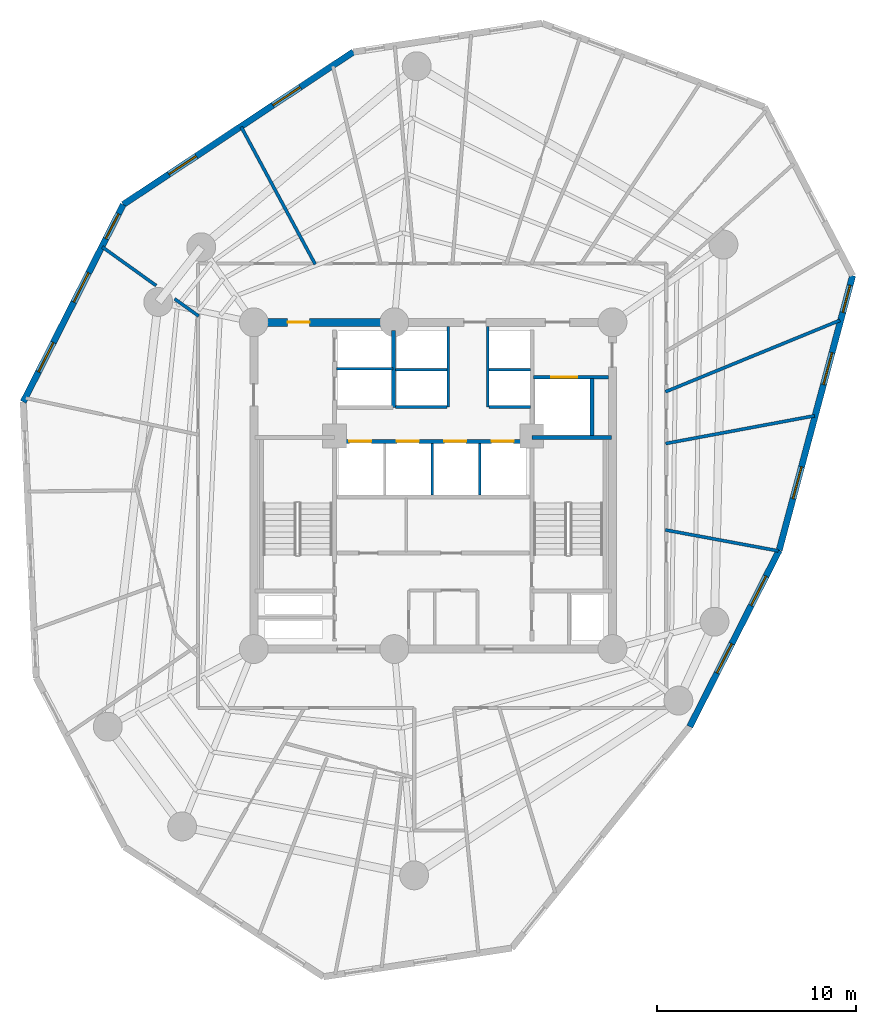
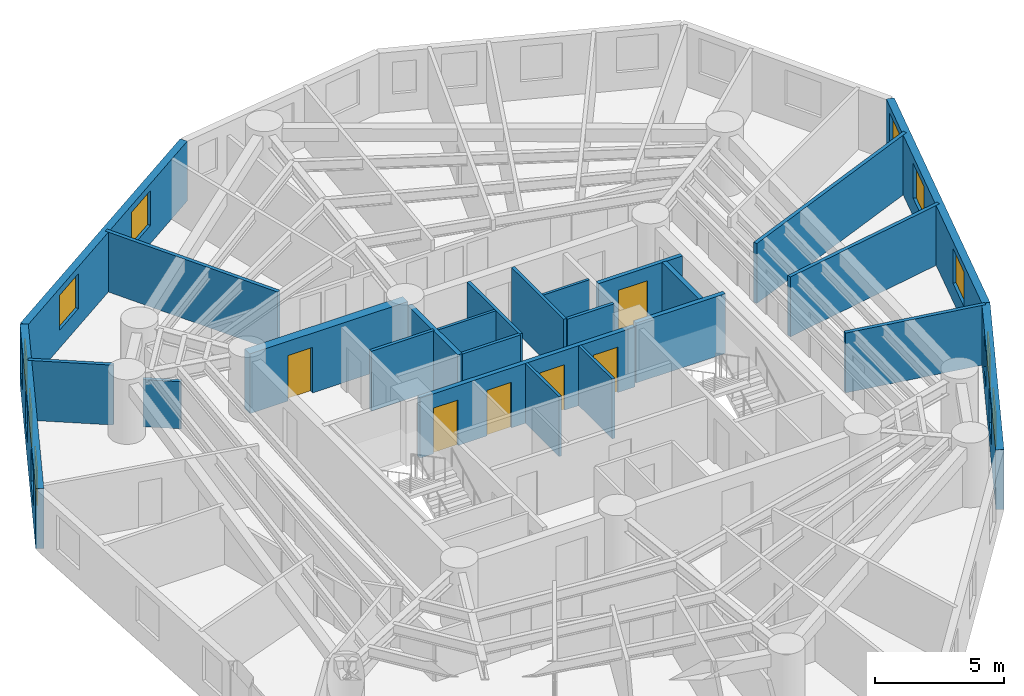
# One storey, part 5 of 8: 25 walls, 10 windows, 6 doors, 16 openings.
"""IFC4 building model written with IfcOpenShell, lengths in metres."""

import ifcopenshell
import ifcopenshell.guid

model = None  # the IFC model being written
_history = None  # IfcOwnerHistory: only IFC2X3 demands one
_inside = {}  # id of a spatial element -> (the spatial element, [elements in it])
_under = {}  # id of a project, library or spatial element -> (it, [spatial elements below it])
_declared = {}  # id of a project -> (the project, [libraries it declares])
_typed = {}  # id of a type object -> (the type object, [elements of that type])
_made_of = {}  # id of a material, layer set ... -> (it, [elements and type objects made of it])


def new_model(schema):
    """Start an empty IFC model of exactly this schema.

    Asked for "IFC4X3", IfcOpenShell would pick the latest addendum, in which some entities
    have other attributes; the version numbers below select the first issue.
    IFC2X3 requires an IfcOwnerHistory on every rooted entity: one is made here for all.
    """
    global model, _history
    if schema == "IFC4X3":
        model = ifcopenshell.file(schema_version=(4, 3, 0, 0))
    else:
        model = ifcopenshell.file(schema=schema)
    _inside.clear()
    _under.clear()
    _declared.clear()
    _typed.clear()
    _made_of.clear()
    _history = None
    if model.schema == "IFC2X3":
        org = make("IfcOrganization", Name="unknown")
        user = make(
            "IfcPersonAndOrganization",
            ThePerson=make("IfcPerson", FamilyName="unknown"),
            TheOrganization=org,
        )
        app = make(
            "IfcApplication",
            ApplicationDeveloper=org,
            Version="unknown",
            ApplicationFullName="unknown",
            ApplicationIdentifier="unknown",
        )
        _history = make(
            "IfcOwnerHistory",
            OwningUser=user,
            OwningApplication=app,
            ChangeAction="ADDED",
            CreationDate=0,
        )
    return model


def make(cls, **values):
    """One entity of the class cls with the attributes given. An attribute that is None is left unset."""
    return model.create_entity(
        cls, **{name: value for name, value in values.items() if value is not None}
    )


def rooted(cls, **values):
    """An entity with a GlobalId (a new one), such as an element, a storey or a relation."""
    return make(cls, GlobalId=ifcopenshell.guid.new(), OwnerHistory=_history, **values)


def si_unit(unit_type, name, prefix=None):
    """IfcSIUnit, for example si_unit("LENGTHUNIT", "METRE", prefix="MILLI")."""
    return make("IfcSIUnit", UnitType=unit_type, Prefix=prefix, Name=name)


def assignment(units):
    """IfcUnitAssignment: the units of a project."""
    return None if units is None else make("IfcUnitAssignment", Units=units)


def point(xyz):
    """IfcCartesianPoint."""
    return None if xyz is None else make("IfcCartesianPoint", Coordinates=xyz)


def direction(xyz):
    """IfcDirection."""
    return None if xyz is None else make("IfcDirection", DirectionRatios=xyz)


def frame(location, z_axis=None, x_axis=None):
    """IfcAxis2Placement3D, a coordinate frame: its origin and axes. An axis left out is left unset."""
    return make(
        "IfcAxis2Placement3D",
        Location=point(location),
        Axis=direction(z_axis),
        RefDirection=direction(x_axis),
    )


def frame_2d(location, x_axis=None):
    """IfcAxis2Placement2D, a coordinate frame in the plane: its origin and x axis."""
    return make(
        "IfcAxis2Placement2D", Location=point(location), RefDirection=direction(x_axis)
    )


def origin():
    """The frame at (0, 0, 0) with its axes left unset."""
    return frame((0.0, 0.0, 0.0))


def origin_with_axes():
    """The frame at (0, 0, 0) with the z axis (0, 0, 1) and the x axis (1, 0, 0) written out."""
    return frame((0.0, 0.0, 0.0), z_axis=(0.0, 0.0, 1.0), x_axis=(1.0, 0.0, 0.0))


def place(relative_to, where):
    """IfcLocalPlacement: puts the frame where relative to a parent placement (None: the world)."""
    return make(
        "IfcLocalPlacement", PlacementRelTo=relative_to, RelativePlacement=where
    )


def context(
    kind, dimensions, precision=None, world=None, true_north=None, identifier=None
):
    """IfcGeometricRepresentationContext, for example the 3D "Model" context."""
    return make(
        "IfcGeometricRepresentationContext",
        ContextIdentifier=identifier,
        ContextType=kind,
        CoordinateSpaceDimension=dimensions,
        Precision=precision,
        WorldCoordinateSystem=world,
        TrueNorth=true_north,
    )


def subcontext(parent, identifier, kind, view, scale=None):
    """IfcGeometricRepresentationSubContext, for example "Body" below "Model"."""
    return make(
        "IfcGeometricRepresentationSubContext",
        ContextIdentifier=identifier,
        ContextType=kind,
        ParentContext=parent,
        TargetScale=scale,
        TargetView=view,
    )


def project(units=None, contexts=None):
    """IfcProject with its units and contexts."""
    return rooted(
        "IfcProject",
        Name="project",
        RepresentationContexts=contexts,
        UnitsInContext=assignment(units),
    )


def spatial(cls, under=None, at=None, **own):
    """A site, building, storey or space (cls), placed at a placement, below another one or the project."""
    s = rooted(cls, ObjectPlacement=at, **own)
    if under is not None:
        _under.setdefault(under.id(), (under, []))[1].append(s)
    return s


def profile(cls, at=None, kind="AREA", **sizes):
    """A parametric profile (cls). Its sizes go by their IFC names, for example OverallWidth=200.0."""
    return make(cls, ProfileType=kind, Position=at, **sizes)


def rectangle(**sizes):
    """IfcRectangleProfileDef."""
    return profile("IfcRectangleProfileDef", **sizes)


def extrude(swept, where, along, depth):
    """IfcExtrudedAreaSolid: the profile swept, set in the frame where, extruded along a direction by depth."""
    return make(
        "IfcExtrudedAreaSolid",
        SweptArea=swept,
        Position=where,
        ExtrudedDirection=direction(along),
        Depth=depth,
    )


def shape(context_of_items, identifier, shape_type, items):
    """IfcShapeRepresentation: the items that make up one representation, for example the "Body"."""
    return make(
        "IfcShapeRepresentation",
        ContextOfItems=context_of_items,
        RepresentationIdentifier=identifier,
        RepresentationType=shape_type,
        Items=items,
    )


def source(mapping_origin, context_of_items, identifier, shape_type, items):
    """IfcRepresentationMap: a shape defined once, which mapped items show again and again."""
    return make(
        "IfcRepresentationMap",
        MappingOrigin=mapping_origin,
        MappedRepresentation=shape(context_of_items, identifier, shape_type, items),
    )


def transform(
    local_origin,
    x_axis=None,
    y_axis=None,
    z_axis=None,
    scale=None,
    scale2=None,
    scale3=None,
    uniform=True,
):
    """IfcCartesianTransformationOperator3D, or its non-uniform kind. x_axis, y_axis, z_axis: its Axis1, 2, 3."""
    if uniform:
        return make(
            "IfcCartesianTransformationOperator3D",
            Axis1=direction(x_axis),
            Axis2=direction(y_axis),
            LocalOrigin=point(local_origin),
            Scale=scale,
            Axis3=direction(z_axis),
        )
    return make(
        "IfcCartesianTransformationOperator3DnonUniform",
        Axis1=direction(x_axis),
        Axis2=direction(y_axis),
        LocalOrigin=point(local_origin),
        Scale=scale,
        Axis3=direction(z_axis),
        Scale2=scale2,
        Scale3=scale3,
    )


def mapped(mapping_source, mapping_target):
    """IfcMappedItem: shows the shape of a source again, moved by a transform."""
    return make(
        "IfcMappedItem", MappingSource=mapping_source, MappingTarget=mapping_target
    )


def material(Name=None, Category=None):
    """IfcMaterial."""
    return make("IfcMaterial", Name=Name, Category=Category)


def layer(
    of_material, thickness, ventilated=None, Name=None, Category=None, Priority=None
):
    """IfcMaterialLayer: one layer of a wall or slab, of a material (None: an air gap)."""
    return make(
        "IfcMaterialLayer",
        Material=of_material,
        LayerThickness=thickness,
        IsVentilated=ventilated,
        Name=Name,
        Category=Category,
        Priority=Priority,
    )


def layer_set(layers, Name=None):
    """IfcMaterialLayerSet."""
    return make("IfcMaterialLayerSet", MaterialLayers=layers, LayerSetName=Name)


def made_of(thing, what):
    """Note that an element or type object is made of a material, layer set ...; save() writes the relation."""
    if what is not None:
        _made_of.setdefault(what.id(), (what, []))[1].append(thing)
    return thing


def type_object(cls, material=None, **own):
    """A type object (cls), such as IfcWallType, which elements share."""
    return made_of(rooted(cls, **own), material)


def element(
    cls,
    number,
    at=None,
    inside=None,
    cuts=None,
    type_object=None,
    material=None,
    context=None,
    identifier="Body",
    shape_type=None,
    held_by="IfcProductDefinitionShape",
    body=None,
    shapes=None,
    **own,
):
    """One element of the class cls, such as IfcWall. Its Tag is "e" and its number.

    at: its placement. inside: the storey or other place that contains it. cuts: it is an
    opening in that element (IfcRelVoidsElement). A single representation is given by context,
    identifier, shape_type and body (its items); several are given by shapes. held_by: the class
    of the entity that holds the representations. save() writes the other relations.
    """
    e = rooted(cls, Tag="e%d" % number, ObjectPlacement=at, **own)
    if body is not None:
        shapes = [shape(context, identifier, shape_type, body)]
    if shapes is not None:
        e.Representation = make(held_by, Representations=shapes)
    if inside is not None:
        _inside.setdefault(inside.id(), (inside, []))[1].append(e)
    if cuts is not None:
        rooted(
            "IfcRelVoidsElement", RelatingBuildingElement=cuts, RelatedOpeningElement=e
        )
    if type_object is not None:
        _typed.setdefault(type_object.id(), (type_object, []))[1].append(e)
    return made_of(e, material)


def fill(opening, filler):
    """IfcRelFillsElement: the door or window that sits in an opening."""
    return rooted(
        "IfcRelFillsElement",
        RelatingOpeningElement=opening,
        RelatedBuildingElement=filler,
    )


def aggregate(whole, parts):
    """IfcRelAggregates: a whole, such as a stair, and the parts it consists of."""
    return rooted("IfcRelAggregates", RelatingObject=whole, RelatedObjects=parts)


def save(model, path):
    """Write the relations noted so far, then the file.

    IfcRelAggregates (storeys below a building ...), IfcRelContainedInSpatialStructure (elements
    in a storey), IfcRelDefinesByType, IfcRelAssociatesMaterial and IfcRelDeclares: one each for
    every whole, place, type object, material and project.
    """
    for whole, parts in _under.values():
        aggregate(whole, parts)
    for where, things in _inside.values():
        rooted(
            "IfcRelContainedInSpatialStructure",
            RelatedElements=things,
            RelatingStructure=where,
        )
    for kind, things in _typed.values():
        rooted("IfcRelDefinesByType", RelatedObjects=things, RelatingType=kind)
    for what, things in _made_of.values():
        rooted("IfcRelAssociatesMaterial", RelatedObjects=things, RelatingMaterial=what)
    for by, libraries in _declared.values():
        rooted("IfcRelDeclares", RelatingContext=by, RelatedDefinitions=libraries)
    model.write(path)


model = new_model("IFC4")

# Units and contexts
model_context = context("Model", 3, precision=1e-05, world=origin(), true_north=direction((0.0, 1.0)))
body_context = subcontext(model_context, "Body", "Model", "MODEL_VIEW")
ifc_project = project(units=[si_unit("LENGTHUNIT", "METRE"), si_unit("AREAUNIT", "SQUARE_METRE"), si_unit("VOLUMEUNIT", "CUBIC_METRE"), si_unit("PLANEANGLEUNIT", "RADIAN"), si_unit("MASSUNIT", "GRAM", prefix="KILO")], contexts=[model_context])

# Site, building, storey
site_placement = place(None, origin())
site = spatial("IfcSite", under=ifc_project, at=site_placement, CompositionType="ELEMENT")
building_placement = place(site_placement, origin())
building = spatial("IfcBuilding", under=site, at=building_placement, Name="Karkom Vertical University and Central Library", CompositionType="ELEMENT")
storey_placement = place(building_placement, frame((0.0, 0.0, 120.60009765625)))
storey = spatial("IfcBuildingStorey", under=building, at=storey_placement, Name="L33", CompositionType="ELEMENT", Elevation=120.60009765625)

# Wall, openings, windows
ifc_material_1 = material(Name="Brick-faced precast concrete C45/55", Category="masonry")
ifc_layer_1 = layer(ifc_material_1, 0.320068359375)
ifc_layer_set_1 = layer_set([ifc_layer_1], Name="Brick-faced precast concrete C45/55")
wall_type_1 = type_object("IfcWallType", Name="ENV-WL-BRK-320", PredefinedType="SOLIDWALL", material=ifc_layer_set_1)
wall_1_placement = place(storey_placement, frame((12.94873046875, 40.60986328125, 0.0), z_axis=(0.0, 0.0, 1.0), x_axis=(-0.452121013318, -0.891956607306, 0.0)))
wall_1 = element("IfcWall", 1, at=wall_1_placement, inside=storey, type_object=wall_type_1, Name="Level 33 Brick-Faced Precast Facade Wall 01", PredefinedType="SOLIDWALL", context=body_context, shape_type="SweptSolid", body=[
    extrude(rectangle(XDim=11.108642578125, YDim=0.320068359375, at=frame_2d((5.55419921875, 0.0))), origin(), (0.0, 0.0, 1.0), 2.824951171875),
])
opening_1_placement = place(wall_1_placement, frame((0.521240234375, 0.0, 0.85009765625)))
opening_1 = element("IfcOpeningElement", 2, at=opening_1_placement, cuts=wall_1, Name="Opening WN-07", PredefinedType="OPENING", context=body_context, shape_type="SweptSolid", body=[
    extrude(rectangle(XDim=1.39990234375, YDim=1.64990234375, at=frame_2d((0.699951171875, 0.824951171875))), frame((0.0, 0.169921875, 0.0), z_axis=(0.0, -1.0, 0.0), x_axis=(1.0, 0.0, 0.0)), (0.0, 0.0, 1.0), 0.340087890625),
])
opening_2_placement = place(wall_1_placement, frame((3.8388671875, 0.0, 0.85009765625)))
opening_2 = element("IfcOpeningElement", 3, at=opening_2_placement, cuts=wall_1, Name="Opening WN-06", PredefinedType="OPENING", context=body_context, shape_type="SweptSolid", body=[
    extrude(rectangle(XDim=1.64990234375, YDim=1.64990234375, at=frame_2d((0.824951171875, 0.824951171875))), frame((0.0, 0.169921875, 0.0), z_axis=(0.0, -1.0, 0.0), x_axis=(1.0, 0.0, 0.0)), (0.0, 0.0, 1.0), 0.340087890625),
])
opening_3_placement = place(wall_1_placement, frame((7.761962890625, 0.0, 0.85009765625)))
opening_3 = element("IfcOpeningElement", 4, at=opening_3_placement, cuts=wall_1, Name="Opening WN-06", PredefinedType="OPENING", context=body_context, shape_type="SweptSolid", body=[
    extrude(rectangle(XDim=1.64990234375, YDim=1.64990234375, at=frame_2d((0.824951171875, 0.824951171875))), frame((0.0, 0.169921875, 0.0), z_axis=(0.0, -1.0, 0.0), x_axis=(1.0, 0.0, 0.0)), (0.0, 0.0, 1.0), 0.340087890625),
])
ifc_material_2 = material(Name="Aluminium thermal-break frame with solar-control IGU", Category="aluminium")
window_type_1 = type_object("IfcWindowType", Name="ENV-WIN-WN-06", PartitioningType="SINGLE_PANEL", PredefinedType="WINDOW", material=ifc_material_2)
shared_shape_1 = source(origin_with_axes(), body_context, "Body", "SweptSolid", [
    extrude(rectangle(XDim=1.64990234375, YDim=1.64990234375, at=frame_2d((0.824951171875, 0.824951171875))), frame((0.0, 0.030029296875, 0.0), z_axis=(0.0, -1.0, 0.0), x_axis=(1.0, 0.0, 0.0)), (0.0, 0.0, 1.0), 0.06005859375),
])
window_1_placement = place(opening_2_placement, origin())
window_1 = element("IfcWindow", 5, at=window_1_placement, inside=storey, type_object=window_type_1, Name="Level 33 Punched Window 1.2", OverallHeight=1.64990234375, OverallWidth=1.64990234375, PartitioningType="SINGLE_PANEL", PredefinedType="WINDOW", context=body_context, shape_type="MappedRepresentation", body=[
    mapped(shared_shape_1, transform((0.0, 0.0, 0.0), scale=1.0)),
])
fill(opening_2, window_1)
window_2_placement = place(opening_3_placement, origin())
window_2 = element("IfcWindow", 6, at=window_2_placement, inside=storey, type_object=window_type_1, Name="Level 33 Punched Window 1.3", OverallHeight=1.64990234375, OverallWidth=1.64990234375, PartitioningType="SINGLE_PANEL", PredefinedType="WINDOW", context=body_context, shape_type="MappedRepresentation", body=[
    mapped(shared_shape_1, transform((0.0, 0.0, 0.0), scale=1.0)),
])
fill(opening_3, window_2)
window_type_2 = type_object("IfcWindowType", Name="ENV-WIN-WN-07", PartitioningType="SINGLE_PANEL", PredefinedType="WINDOW", material=ifc_material_2)
shared_shape_2 = source(origin_with_axes(), body_context, "Body", "SweptSolid", [
    extrude(rectangle(XDim=1.39990234375, YDim=1.64990234375, at=frame_2d((0.699951171875, 0.824951171875))), frame((0.0, 0.030029296875, 0.0), z_axis=(0.0, -1.0, 0.0), x_axis=(1.0, 0.0, 0.0)), (0.0, 0.0, 1.0), 0.06005859375),
])
window_3_placement = place(opening_1_placement, origin())
window_3 = element("IfcWindow", 7, at=window_3_placement, inside=storey, type_object=window_type_2, Name="Level 33 Punched Window 1.1", OverallHeight=1.64990234375, OverallWidth=1.39990234375, PartitioningType="SINGLE_PANEL", PredefinedType="WINDOW", context=body_context, shape_type="MappedRepresentation", body=[
    mapped(shared_shape_2, transform((0.0, 0.0, 0.0), scale=1.0)),
])
fill(opening_1, window_3)

wall_2_placement = place(storey_placement, frame((41.382080078125, 14.41064453125, 0.0), z_axis=(0.0, 0.0, 1.0), x_axis=(0.452120180928, 0.891957029233, 0.0)))
wall_2 = element("IfcWall", 8, at=wall_2_placement, inside=storey, type_object=wall_type_1, Name="Level 33 Brick-Faced Precast Facade Wall 07", PredefinedType="SOLIDWALL", context=body_context, shape_type="SweptSolid", body=[
    extrude(rectangle(XDim=9.91796875, YDim=0.320068359375, at=frame_2d((4.958984375, 0.0))), origin(), (0.0, 0.0, 1.0), 2.824951171875),
])
opening_4_placement = place(wall_2_placement, frame((3.010009765625, 0.0, 0.85009765625)))
opening_4 = element("IfcOpeningElement", 9, at=opening_4_placement, cuts=wall_2, Name="Opening WN-06", PredefinedType="OPENING", context=body_context, shape_type="SweptSolid", body=[
    extrude(rectangle(XDim=1.64990234375, YDim=1.64990234375, at=frame_2d((0.824951171875, 0.824951171875))), frame((0.0, 0.169921875, 0.0), z_axis=(0.0, -1.0, 0.0), x_axis=(1.0, 0.0, 0.0)), (0.0, 0.0, 1.0), 0.340087890625),
])
opening_5_placement = place(wall_2_placement, frame((6.81201171875, 0.0, 0.85009765625)))
opening_5 = element("IfcOpeningElement", 10, at=opening_5_placement, cuts=wall_2, Name="Opening WN-06", PredefinedType="OPENING", context=body_context, shape_type="SweptSolid", body=[
    extrude(rectangle(XDim=1.64990234375, YDim=1.64990234375, at=frame_2d((0.824951171875, 0.824951171875))), frame((0.0, 0.169921875, 0.0), z_axis=(0.0, -1.0, 0.0), x_axis=(1.0, 0.0, 0.0)), (0.0, 0.0, 1.0), 0.340087890625),
])
window_4_placement = place(opening_4_placement, origin())
window_4 = element("IfcWindow", 11, at=window_4_placement, inside=storey, type_object=window_type_1, Name="Level 33 Punched Window 7.1", OverallHeight=1.64990234375, OverallWidth=1.64990234375, PartitioningType="SINGLE_PANEL", PredefinedType="WINDOW", context=body_context, shape_type="MappedRepresentation", body=[
    mapped(shared_shape_1, transform((0.0, 0.0, 0.0), scale=1.0)),
])
fill(opening_4, window_4)
window_5_placement = place(opening_5_placement, origin())
window_5 = element("IfcWindow", 12, at=window_5_placement, inside=storey, type_object=window_type_1, Name="Level 33 Punched Window 7.2", OverallHeight=1.64990234375, OverallWidth=1.64990234375, PartitioningType="SINGLE_PANEL", PredefinedType="WINDOW", context=body_context, shape_type="MappedRepresentation", body=[
    mapped(shared_shape_1, transform((0.0, 0.0, 0.0), scale=1.0)),
])
fill(opening_5, window_5)

wall_3_placement = place(storey_placement, frame((45.8662109375, 23.257080078125, 0.0), z_axis=(0.0, 0.0, 1.0), x_axis=(0.258414474628, 0.966034139823, 0.0)))
wall_3 = element("IfcWall", 13, at=wall_3_placement, inside=storey, type_object=wall_type_1, Name="Level 33 Brick-Faced Precast Facade Wall 08", PredefinedType="SOLIDWALL", context=body_context, shape_type="SweptSolid", body=[
    extrude(rectangle(XDim=14.267822265625, YDim=0.320068359375, at=frame_2d((7.1337890625, 0.0))), origin(), (0.0, 0.0, 1.0), 2.824951171875),
])
opening_6_placement = place(wall_3_placement, frame((2.6875, 0.0, 0.85009765625)))
opening_6 = element("IfcOpeningElement", 14, at=opening_6_placement, cuts=wall_3, Name="Opening WN-06", PredefinedType="OPENING", context=body_context, shape_type="SweptSolid", body=[
    extrude(rectangle(XDim=1.64990234375, YDim=1.64990234375, at=frame_2d((0.824951171875, 0.824951171875))), frame((0.0, 0.169921875, 0.0), z_axis=(0.0, -1.0, 0.0), x_axis=(1.0, 0.0, 0.0)), (0.0, 0.0, 1.0), 0.340087890625),
])
opening_7_placement = place(wall_3_placement, frame((8.61474609375, 0.0, 0.85009765625)))
opening_7 = element("IfcOpeningElement", 15, at=opening_7_placement, cuts=wall_3, Name="Opening WN-06", PredefinedType="OPENING", context=body_context, shape_type="SweptSolid", body=[
    extrude(rectangle(XDim=1.64990234375, YDim=1.64990234375, at=frame_2d((0.824951171875, 0.824951171875))), frame((0.0, 0.169921875, 0.0), z_axis=(0.0, -1.0, 0.0), x_axis=(1.0, 0.0, 0.0)), (0.0, 0.0, 1.0), 0.340087890625),
])
opening_8_placement = place(wall_3_placement, frame((12.361328125, 0.0, 0.85009765625)))
opening_8 = element("IfcOpeningElement", 16, at=opening_8_placement, cuts=wall_3, Name="Opening WN-07", PredefinedType="OPENING", context=body_context, shape_type="SweptSolid", body=[
    extrude(rectangle(XDim=1.39990234375, YDim=1.64990234375, at=frame_2d((0.699951171875, 0.824951171875))), frame((0.0, 0.169921875, 0.0), z_axis=(0.0, -1.0, 0.0), x_axis=(1.0, 0.0, 0.0)), (0.0, 0.0, 1.0), 0.340087890625),
])
window_6_placement = place(opening_6_placement, origin())
window_6 = element("IfcWindow", 17, at=window_6_placement, inside=storey, type_object=window_type_1, Name="Level 33 Punched Window 8.1", OverallHeight=1.64990234375, OverallWidth=1.64990234375, PartitioningType="SINGLE_PANEL", PredefinedType="WINDOW", context=body_context, shape_type="MappedRepresentation", body=[
    mapped(shared_shape_1, transform((0.0, 0.0, 0.0), scale=1.0)),
])
fill(opening_6, window_6)
window_7_placement = place(opening_7_placement, origin())
window_7 = element("IfcWindow", 18, at=window_7_placement, inside=storey, type_object=window_type_1, Name="Level 33 Punched Window 8.2", OverallHeight=1.64990234375, OverallWidth=1.64990234375, PartitioningType="SINGLE_PANEL", PredefinedType="WINDOW", context=body_context, shape_type="MappedRepresentation", body=[
    mapped(shared_shape_1, transform((0.0, 0.0, 0.0), scale=1.0)),
])
fill(opening_7, window_7)
window_8_placement = place(opening_8_placement, origin())
window_8 = element("IfcWindow", 19, at=window_8_placement, inside=storey, type_object=window_type_2, Name="Level 33 Punched Window 8.3", OverallHeight=1.64990234375, OverallWidth=1.39990234375, PartitioningType="SINGLE_PANEL", PredefinedType="WINDOW", context=body_context, shape_type="MappedRepresentation", body=[
    mapped(shared_shape_2, transform((0.0, 0.0, 0.0), scale=1.0)),
])
fill(opening_8, window_8)

wall_4_placement = place(storey_placement, frame((24.498046875, 48.2705078125, 0.0), z_axis=(0.0, 0.0, 1.0), x_axis=(-0.833343480335, -0.552755500908, 0.0)))
wall_4 = element("IfcWall", 20, at=wall_4_placement, inside=storey, type_object=wall_type_1, Name="Level 33 Brick-Faced Precast Facade Wall 12", PredefinedType="SOLIDWALL", context=body_context, shape_type="SweptSolid", body=[
    extrude(rectangle(XDim=13.859130859375, YDim=0.320068359375, at=frame_2d((6.9296875, 0.0))), origin(), (0.0, 0.0, 1.0), 2.824951171875),
])
opening_9_placement = place(wall_4_placement, frame((3.19775390625, 0.0, 0.85009765625)))
opening_9 = element("IfcOpeningElement", 21, at=opening_9_placement, cuts=wall_4, Name="Opening WN-06", PredefinedType="OPENING", context=body_context, shape_type="SweptSolid", body=[
    extrude(rectangle(XDim=1.64990234375, YDim=1.64990234375, at=frame_2d((0.824951171875, 0.824951171875))), frame((0.0, 0.169921875, 0.0), z_axis=(0.0, -1.0, 0.0), x_axis=(1.0, 0.0, 0.0)), (0.0, 0.0, 1.0), 0.340087890625),
])
opening_10_placement = place(wall_4_placement, frame((9.46337890625, 0.0, 0.85009765625)))
opening_10 = element("IfcOpeningElement", 22, at=opening_10_placement, cuts=wall_4, Name="Opening WN-06", PredefinedType="OPENING", context=body_context, shape_type="SweptSolid", body=[
    extrude(rectangle(XDim=1.64990234375, YDim=1.64990234375, at=frame_2d((0.824951171875, 0.824951171875))), frame((0.0, 0.169921875, 0.0), z_axis=(0.0, -1.0, 0.0), x_axis=(1.0, 0.0, 0.0)), (0.0, 0.0, 1.0), 0.340087890625),
])
window_9_placement = place(opening_9_placement, origin())
window_9 = element("IfcWindow", 23, at=window_9_placement, inside=storey, type_object=window_type_1, Name="Level 33 Punched Window 12.1", OverallHeight=1.64990234375, OverallWidth=1.64990234375, PartitioningType="SINGLE_PANEL", PredefinedType="WINDOW", context=body_context, shape_type="MappedRepresentation", body=[
    mapped(shared_shape_1, transform((0.0, 0.0, 0.0), scale=1.0)),
])
fill(opening_9, window_9)
window_10_placement = place(opening_10_placement, origin())
window_10 = element("IfcWindow", 24, at=window_10_placement, inside=storey, type_object=window_type_1, Name="Level 33 Punched Window 12.2", OverallHeight=1.64990234375, OverallWidth=1.64990234375, PartitioningType="SINGLE_PANEL", PredefinedType="WINDOW", context=body_context, shape_type="MappedRepresentation", body=[
    mapped(shared_shape_1, transform((0.0, 0.0, 0.0), scale=1.0)),
])
fill(opening_10, window_10)

# Walls
ifc_material_3 = material(Name="Insulated metal-stud drywall 160mm", Category="gypsum")
ifc_layer_2 = layer(ifc_material_3, 0.159912109375)
ifc_layer_set_2 = layer_set([ifc_layer_2], Name="Insulated metal-stud drywall 160mm")
wall_type_2 = type_object("IfcWallType", Name="INT-WL-COR-160", PredefinedType="PARTITIONING", material=ifc_layer_set_2)
wall_5_placement = place(storey_placement, frame((40.158203125, 31.2109375, 0.0), z_axis=(0.0, 0.0, 1.0), x_axis=(0.92536805973, 0.379069853763, 0.0)))
element("IfcWall", 25, at=wall_5_placement, inside=storey, type_object=wall_type_2, Name="Level 33 Interior Partition Wall L33-PW-020", PredefinedType="PARTITIONING", context=body_context, shape_type="SweptSolid", body=[
    extrude(rectangle(XDim=9.461669921875, YDim=0.159912109375, at=frame_2d((4.73095703125, 0.0))), origin(), (0.0, 0.0, 1.0), 2.824951171875),
])
wall_6_placement = place(storey_placement, frame((22.581298828125, 37.6103515625, 0.0), z_axis=(0.0, 0.0, 1.0), x_axis=(-0.474337754798, 0.880342941344, 0.0)))
element("IfcWall", 26, at=wall_6_placement, inside=storey, type_object=wall_type_2, Name="Level 33 Interior Partition Wall L33-PW-031", PredefinedType="PARTITIONING", context=body_context, shape_type="SweptSolid", body=[
    extrude(rectangle(XDim=7.83154296875, YDim=0.159912109375, at=frame_2d((3.915771484375, 0.0))), origin(), (0.0, 0.0, 1.0), 2.824951171875),
])
wall_7_placement = place(storey_placement, frame((40.17041015625, 28.614990234375, 0.0), z_axis=(0.0, 0.0, 1.0), x_axis=(0.983054312649, 0.183314534015, 0.0)))
element("IfcWall", 27, at=wall_7_placement, inside=storey, type_object=wall_type_2, Name="Level 33 Interior Partition Wall L33-PW-019", PredefinedType="PARTITIONING", context=body_context, shape_type="SweptSolid", body=[
    extrude(rectangle(XDim=7.597900390625, YDim=0.159912109375, at=frame_2d((3.798828125, 0.0))), origin(), (0.0, 0.0, 1.0), 2.824951171875),
])
wall_8_placement = place(storey_placement, frame((40.15576171875, 24.277587890625, 0.0), z_axis=(0.0, 0.0, 1.0), x_axis=(0.983241514176, -0.182307774933, 0.0)))
element("IfcWall", 28, at=wall_8_placement, inside=storey, type_object=wall_type_2, Name="Level 33 Interior Partition Wall L33-PW-018", PredefinedType="PARTITIONING", context=body_context, shape_type="SweptSolid", body=[
    extrude(rectangle(XDim=5.760986328125, YDim=0.159912109375, at=frame_2d((2.88037109375, 0.0))), origin(), (0.0, 0.0, 1.0), 2.824951171875),
])
wall_9_placement = place(storey_placement, frame((14.60107421875, 36.5390625, 0.0), z_axis=(0.0, 0.0, 1.0), x_axis=(-0.812705938737, 0.582674057378, 0.0)))
element("IfcWall", 29, at=wall_9_placement, inside=storey, type_object=wall_type_2, Name="Level 33 Interior Partition Wall L33-PW-033", PredefinedType="PARTITIONING", context=body_context, shape_type="SweptSolid", body=[
    extrude(rectangle(XDim=3.327392578125, YDim=0.159912109375, at=frame_2d((1.66357421875, 0.0))), origin(), (0.0, 0.0, 1.0), 2.824951171875),
])
wall_10_placement = place(storey_placement, frame((16.736572265625, 35.008056640625, 0.0), z_axis=(0.0, 0.0, 1.0), x_axis=(-0.812690241853, 0.582695950558, 0.0)))
element("IfcWall", 30, at=wall_10_placement, inside=storey, type_object=wall_type_2, Name="Level 33 Interior Partition Wall L33-PW-032", PredefinedType="PARTITIONING", context=body_context, shape_type="SweptSolid", body=[
    extrude(rectangle(XDim=1.48828125, YDim=0.159912109375, at=frame_2d((0.744140625, 0.0))), origin(), (0.0, 0.0, 1.0), 2.224853515625),
])
ifc_material_4 = material(Name="Moisture-resistant drywall 120mm", Category="gypsum")
ifc_layer_3 = layer(ifc_material_4, 0.1201171875)
ifc_layer_set_3 = layer_set([ifc_layer_3], Name="Moisture-resistant drywall 120mm")
wall_type_3 = type_object("IfcWallType", Name="INT-WL-INT-120H", PredefinedType="PARTITIONING", material=ifc_layer_set_3)
for number, where, z_axis, x_axis, name in (
    (31, (28.4599609375, 26.02001953125, 0.0), (0.0, 0.0, 1.0), (0.0, 1.0, 0.0), "Level 33 Interior Partition Wall L33-CW-PM-DIV2"),
    (32, (30.840087890625, 26.02001953125, 0.0), (0.0, 0.0, 1.0), (0.0, 1.0, 0.0), "Level 33 Interior Partition Wall L33-CW-PM-DIV3"),
):
    element("IfcWall", number, at=place(storey_placement, frame(where, z_axis=z_axis, x_axis=x_axis)), inside=storey, type_object=wall_type_3, Name=name, PredefinedType="PARTITIONING", context=body_context, shape_type="SweptSolid", body=[
        extrude(rectangle(XDim=2.60009765625, YDim=0.1201171875, at=frame_2d((1.300048828125, 0.0))), origin(), (0.0, 0.0, 1.0), 2.824951171875),
    ])
wall_11_placement = place(storey_placement, frame((26.6201171875, 32.320068359375, 0.0), z_axis=(0.0, 0.0, 1.0), x_axis=(1.0, 0.0, 0.0)))
element("IfcWall", 33, at=wall_11_placement, inside=storey, type_object=wall_type_3, Name="Level 33 Interior Partition Wall L33-CW-PH-MW", PredefinedType="PARTITIONING", context=body_context, shape_type="SweptSolid", body=[
    extrude(rectangle(XDim=2.579833984375, YDim=0.1201171875, at=frame_2d((1.2900390625, 0.0))), origin(), (0.0, 0.0, 1.0), 2.824951171875),
])
wall_12_placement = place(storey_placement, frame((31.300048828125, 32.320068359375, 0.0), z_axis=(0.0, 0.0, 1.0), x_axis=(1.0, 0.0, 0.0)))
element("IfcWall", 34, at=wall_12_placement, inside=storey, type_object=wall_type_3, Name="Level 33 Interior Partition Wall L33-CW-PH-ME", PredefinedType="PARTITIONING", context=body_context, shape_type="SweptSolid", body=[
    extrude(rectangle(XDim=2.074951171875, YDim=0.1201171875, at=frame_2d((1.03759765625, 0.0))), origin(), (0.0, 0.0, 1.0), 2.824951171875),
])
ifc_material_5 = material(Name="Metal-stud gypsum partition 140mm", Category="gypsum")
ifc_layer_4 = layer(ifc_material_5, 0.139892578125)
ifc_layer_set_4 = layer_set([ifc_layer_4], Name="Metal-stud gypsum partition 140mm")
wall_type_4 = type_object("IfcWallType", Name="INT-WL-SUB-140H", PredefinedType="PARTITIONING", material=ifc_layer_set_4)
for number, where, z_axis, x_axis, name in (
    (35, (29.260009765625, 30.449951171875, 0.0), (0.0, 0.0, 1.0), (0.0, 1.0, 0.0), "Level 33 Interior Partition Wall L33-CW-PH-W"),
    (36, (31.239990234375, 30.449951171875, 0.0), (0.0, 0.0, 1.0), (0.0, 1.0, 0.0), "Level 33 Interior Partition Wall L33-CW-PH-E"),
):
    element("IfcWall", number, at=place(storey_placement, frame(where, z_axis=z_axis, x_axis=x_axis)), inside=storey, type_object=wall_type_4, Name=name, PredefinedType="PARTITIONING", context=body_context, shape_type="SweptSolid", body=[
        extrude(rectangle(XDim=4.04296875, YDim=0.139892578125, at=frame_2d((2.021484375, 0.0))), origin(), (0.0, 0.0, 1.0), 2.824951171875),
    ])
wall_13_placement = place(storey_placement, frame((26.6201171875, 30.449951171875, 0.0), z_axis=(0.0, 0.0, 1.0), x_axis=(1.0, 0.0, 0.0)))
element("IfcWall", 37, at=wall_13_placement, inside=storey, type_object=wall_type_4, Name="Level 33 Interior Partition Wall L33-CW-PH-S1", PredefinedType="PARTITIONING", context=body_context, shape_type="SweptSolid", body=[
    extrude(rectangle(XDim=2.579833984375, YDim=0.139892578125, at=frame_2d((1.2900390625, 0.0))), origin(), (0.0, 0.0, 1.0), 2.824951171875),
])
wall_14_placement = place(storey_placement, frame((31.300048828125, 30.449951171875, 0.0), z_axis=(0.0, 0.0, 1.0), x_axis=(1.0, 0.0, 0.0)))
element("IfcWall", 38, at=wall_14_placement, inside=storey, type_object=wall_type_4, Name="Level 33 Interior Partition Wall L33-CW-PH-S2", PredefinedType="PARTITIONING", context=body_context, shape_type="SweptSolid", body=[
    extrude(rectangle(XDim=2.074951171875, YDim=0.139892578125, at=frame_2d((1.03759765625, 0.0))), origin(), (0.0, 0.0, 1.0), 2.824951171875),
])
ifc_layer_5 = layer(ifc_material_5, 0.139892578125)
ifc_layer_set_5 = layer_set([ifc_layer_5], Name="Metal-stud gypsum partition 140mm")
wall_type_5 = type_object("IfcWallType", Name="INT-WL-SUB-140X", PredefinedType="PARTITIONING", material=ifc_layer_set_5)
wall_15_placement = place(storey_placement, frame((23.652099609375, 32.3701171875, 0.0), z_axis=(0.0, 0.0, 1.0), x_axis=(1.0, 0.0, 0.0)))
element("IfcWall", 39, at=wall_15_placement, inside=storey, type_object=wall_type_5, Name="Level 33 Interior Partition Wall L33-CW-FFL-M", PredefinedType="PARTITIONING", context=body_context, shape_type="SweptSolid", body=[
    extrude(rectangle(XDim=2.827880859375, YDim=0.139892578125, at=frame_2d((1.4140625, 0.0))), origin(), (0.0, 0.0, 1.0), 2.824951171875),
])

# Wall, opening, door
ifc_material_6 = material(Name="Twin-stud acoustic drywall 180mm", Category="gypsum")
ifc_layer_6 = layer(ifc_material_6, 0.179931640625)
ifc_layer_set_6 = layer_set([ifc_layer_6], Name="Twin-stud acoustic drywall 180mm")
wall_type_6 = type_object("IfcWallType", Name="INT-WL-TEN-180F", PredefinedType="PARTITIONING", material=ifc_layer_set_6)
wall_16_placement = place(storey_placement, frame((33.534912109375, 31.949951171875, 0.0), z_axis=(0.0, 0.0, 1.0), x_axis=(1.0, 0.0, 0.0)))
wall_16 = element("IfcWall", 40, at=wall_16_placement, inside=storey, type_object=wall_type_6, Name="Level 33 Interior Partition Wall L33-CW-SVL-N", PredefinedType="PARTITIONING", context=body_context, shape_type="SweptSolid", body=[
    extrude(rectangle(XDim=3.7587890625, YDim=0.179931640625, at=frame_2d((1.87939453125, 0.0))), origin(), (0.0, 0.0, 1.0), 2.824951171875),
])
opening_11_placement = place(wall_16_placement, frame((0.89990234375, 0.0, 0.0)))
opening_11 = element("IfcOpeningElement", 41, at=opening_11_placement, cuts=wall_16, Name="Opening LD-SV1", PredefinedType="OPENING", context=body_context, shape_type="SweptSolid", body=[
    extrude(rectangle(XDim=1.300048828125, YDim=2.199951171875, at=frame_2d((0.64990234375, 1.10009765625))), frame((0.0, 0.10009765625, 0.0), z_axis=(0.0, -1.0, 0.0), x_axis=(1.0, 0.0, 0.0)), (0.0, 0.0, 1.0), 0.199951171875),
])
ifc_material_7 = material(Name="Brushed stainless-steel landing door", Category="steel")
door_type_1 = type_object("IfcDoorType", Name="INT-DR-LD-SV1", OperationType="SLIDING_TO_LEFT", PredefinedType="DOOR", material=ifc_material_7)
shared_shape_3 = source(origin_with_axes(), body_context, "Body", "SweptSolid", [
    extrude(rectangle(XDim=1.300048828125, YDim=2.199951171875, at=frame_2d((0.64990234375, 1.10009765625))), frame((0.0, 0.02490234375, 0.0), z_axis=(0.0, -1.0, 0.0), x_axis=(1.0, 0.0, 0.0)), (0.0, 0.0, 1.0), 0.050048828125),
])
door_1_placement = place(opening_11_placement, origin())
door_1 = element("IfcDoor", 42, at=door_1_placement, inside=storey, type_object=door_type_1, Name="Level 33 Service Lift Landing Door LD-SV1", OperationType="SLIDING_TO_LEFT", OverallHeight=2.199951171875, OverallWidth=1.300048828125, PredefinedType="DOOR", context=body_context, shape_type="MappedRepresentation", body=[
    mapped(shared_shape_3, transform((0.0, 0.0, 0.0), scale=1.0)),
])
fill(opening_11, door_1)

ifc_material_8 = material(Name="Concrete C50/60", Category="concrete")
ifc_layer_7 = layer(ifc_material_8, 0.39990234375)
ifc_layer_set_7 = layer_set([ifc_layer_7], Name="Concrete C50/60")
wall_type_7 = type_object("IfcWallType", Name="STR-WL-CW-400", PredefinedType="SHEAR", material=ifc_layer_set_7)
wall_17_placement = place(storey_placement, frame((26.550048828125, 34.699951171875, 0.0), z_axis=(0.0, 0.0, 1.0), x_axis=(-1.0, 0.0, 0.0)))
wall_17 = element("IfcWall", 43, at=wall_17_placement, inside=storey, type_object=wall_type_7, Name="Level 33 Central Core Shear Wall NW2", PredefinedType="SHEAR", context=body_context, shape_type="SweptSolid", body=[
    extrude(rectangle(XDim=7.050048828125, YDim=0.39990234375, at=frame_2d((3.52490234375, 0.0))), origin(), (0.0, 0.0, 1.0), 2.824951171875),
])
opening_12_placement = place(wall_17_placement, frame((4.25, 0.0, 0.0)))
opening_12 = element("IfcOpeningElement", 44, at=opening_12_placement, cuts=wall_17, Name="Opening FD-FFL", PredefinedType="OPENING", context=body_context, shape_type="SweptSolid", body=[
    extrude(rectangle(XDim=1.10009765625, YDim=2.14990234375, at=frame_2d((0.550048828125, 1.074951171875))), frame((0.0, 0.2099609375, 0.0), z_axis=(0.0, -1.0, 0.0), x_axis=(1.0, 0.0, 0.0)), (0.0, 0.0, 1.0), 0.419921875),
])
ifc_material_9 = material(Name="Painted steel smoke-seal fire door", Category="steel")
door_type_2 = type_object("IfcDoorType", Name="INT-DR-FFL", OperationType="NOTDEFINED", PredefinedType="DOOR", material=ifc_material_9)
shared_shape_4 = source(origin_with_axes(), body_context, "Body", "SweptSolid", [
    extrude(rectangle(XDim=1.10009765625, YDim=2.14990234375, at=frame_2d((0.550048828125, 1.074951171875))), frame((0.0, 0.02490234375, 0.0), z_axis=(0.0, -1.0, 0.0), x_axis=(1.0, 0.0, 0.0)), (0.0, 0.0, 1.0), 0.050048828125),
])
door_2_placement = place(opening_12_placement, origin())
door_2 = element("IfcDoor", 45, at=door_2_placement, inside=storey, type_object=door_type_2, Name="Level 33 Firefighting Lobby Door", OperationType="SINGLE_SWING_LEFT", OverallHeight=2.14990234375, OverallWidth=1.10009765625, PredefinedType="DOOR", context=body_context, shape_type="MappedRepresentation", body=[
    mapped(shared_shape_4, transform((0.0, 0.0, 0.0), scale=1.0)),
])
fill(opening_12, door_2)

# Wall, openings, doors
ifc_material_10 = material(Name="Concrete C45/55", Category="concrete")
ifc_layer_8 = layer(ifc_material_10, 0.199951171875)
ifc_layer_set_8 = layer_set([ifc_layer_8], Name="Concrete C45/55")
wall_type_8 = type_object("IfcWallType", Name="STR-WL-ST-200", PredefinedType="SHEAR", material=ifc_layer_set_8)
wall_18_placement = place(storey_placement, frame((23.699951171875, 28.719970703125, 0.0), z_axis=(0.0, 0.0, 1.0), x_axis=(1.0, 0.0, 0.0)))
wall_18 = element("IfcWall", 46, at=wall_18_placement, inside=storey, type_object=wall_type_8, Name="Level 33 Core Shaft Wall L33-CW-B2-N", PredefinedType="SHEAR", context=body_context, shape_type="SweptSolid", body=[
    extrude(rectangle(XDim=9.60009765625, YDim=0.199951171875, at=frame_2d((4.800048828125, 0.0))), origin(), (0.0, 0.0, 1.0), 2.824951171875),
])
opening_13_placement = place(wall_18_placement, frame((0.60009765625, 0.0, 0.0)))
opening_13 = element("IfcOpeningElement", 47, at=opening_13_placement, cuts=wall_18, Name="Opening LD-PAX", PredefinedType="OPENING", context=body_context, shape_type="SweptSolid", body=[
    extrude(rectangle(XDim=1.10009765625, YDim=2.14990234375, at=frame_2d((0.550048828125, 1.074951171875))), frame((0.0, 0.10986328125, 0.0), z_axis=(0.0, -1.0, 0.0), x_axis=(1.0, 0.0, 0.0)), (0.0, 0.0, 1.0), 0.219970703125),
])
opening_14_placement = place(wall_18_placement, frame((2.97998046875, 0.0, 0.0)))
opening_14 = element("IfcOpeningElement", 48, at=opening_14_placement, cuts=wall_18, Name="Opening LD-PAX", PredefinedType="OPENING", context=body_context, shape_type="SweptSolid", body=[
    extrude(rectangle(XDim=1.10009765625, YDim=2.14990234375, at=frame_2d((0.550048828125, 1.074951171875))), frame((0.0, 0.10986328125, 0.0), z_axis=(0.0, -1.0, 0.0), x_axis=(1.0, 0.0, 0.0)), (0.0, 0.0, 1.0), 0.219970703125),
])
opening_15_placement = place(wall_18_placement, frame((5.360107421875, 0.0, 0.0)))
opening_15 = element("IfcOpeningElement", 49, at=opening_15_placement, cuts=wall_18, Name="Opening LD-PAX", PredefinedType="OPENING", context=body_context, shape_type="SweptSolid", body=[
    extrude(rectangle(XDim=1.10009765625, YDim=2.14990234375, at=frame_2d((0.550048828125, 1.074951171875))), frame((0.0, 0.10986328125, 0.0), z_axis=(0.0, -1.0, 0.0), x_axis=(1.0, 0.0, 0.0)), (0.0, 0.0, 1.0), 0.219970703125),
])
opening_16_placement = place(wall_18_placement, frame((7.739990234375, 0.0, 0.0)))
opening_16 = element("IfcOpeningElement", 50, at=opening_16_placement, cuts=wall_18, Name="Opening LD-PAX", PredefinedType="OPENING", context=body_context, shape_type="SweptSolid", body=[
    extrude(rectangle(XDim=1.10009765625, YDim=2.14990234375, at=frame_2d((0.550048828125, 1.074951171875))), frame((0.0, 0.10986328125, 0.0), z_axis=(0.0, -1.0, 0.0), x_axis=(1.0, 0.0, 0.0)), (0.0, 0.0, 1.0), 0.219970703125),
])
door_type_3 = type_object("IfcDoorType", Name="INT-DR-LD-PAX", OperationType="SLIDING_TO_LEFT", PredefinedType="DOOR", material=ifc_material_7)
door_3_placement = place(opening_13_placement, origin())
door_3 = element("IfcDoor", 51, at=door_3_placement, inside=storey, type_object=door_type_3, Name="Level 33 Lift PM-1 Landing Door", OperationType="SLIDING_TO_LEFT", OverallHeight=2.14990234375, OverallWidth=1.10009765625, PredefinedType="DOOR", context=body_context, shape_type="MappedRepresentation", body=[
    mapped(shared_shape_4, transform((0.0, 0.0, 0.0), scale=1.0)),
])
fill(opening_13, door_3)
door_4_placement = place(opening_14_placement, origin())
door_4 = element("IfcDoor", 52, at=door_4_placement, inside=storey, type_object=door_type_3, Name="Level 33 Lift PM-2 Landing Door", OperationType="SLIDING_TO_RIGHT", OverallHeight=2.14990234375, OverallWidth=1.10009765625, PredefinedType="DOOR", context=body_context, shape_type="MappedRepresentation", body=[
    mapped(shared_shape_4, transform((0.0, 0.0, 0.0), scale=1.0)),
])
fill(opening_14, door_4)
door_5_placement = place(opening_15_placement, origin())
door_5 = element("IfcDoor", 53, at=door_5_placement, inside=storey, type_object=door_type_3, Name="Level 33 Lift PM-3 Landing Door", OperationType="SLIDING_TO_LEFT", OverallHeight=2.14990234375, OverallWidth=1.10009765625, PredefinedType="DOOR", context=body_context, shape_type="MappedRepresentation", body=[
    mapped(shared_shape_4, transform((0.0, 0.0, 0.0), scale=1.0)),
])
fill(opening_15, door_5)
door_6_placement = place(opening_16_placement, origin())
door_6 = element("IfcDoor", 54, at=door_6_placement, inside=storey, type_object=door_type_3, Name="Level 33 Lift PM-4 Landing Door", OperationType="SLIDING_TO_RIGHT", OverallHeight=2.14990234375, OverallWidth=1.10009765625, PredefinedType="DOOR", context=body_context, shape_type="MappedRepresentation", body=[
    mapped(shared_shape_4, transform((0.0, 0.0, 0.0), scale=1.0)),
])
fill(opening_16, door_6)

# Walls
wall_19_placement = place(storey_placement, frame((33.455078125, 28.925048828125, 0.0), z_axis=(0.0, 0.0, 1.0), x_axis=(1.0, 0.0, 0.0)))
element("IfcWall", 55, at=wall_19_placement, inside=storey, type_object=wall_type_8, Name="Level 33 Core Shaft Wall L33-CW-ST2-N", PredefinedType="SHEAR", context=body_context, shape_type="SweptSolid", body=[
    extrude(rectangle(XDim=3.994873046875, YDim=0.199951171875, at=frame_2d((1.99755859375, 0.0))), origin(), (0.0, 0.0, 1.0), 2.824951171875),
])
wall_20_placement = place(storey_placement, frame((26.52001953125, 30.419921875, 0.0), z_axis=(0.0, 0.0, 1.0), x_axis=(0.0, 1.0, 0.0)))
element("IfcWall", 56, at=wall_20_placement, inside=storey, type_object=wall_type_8, Name="Level 33 Core Shaft Wall L33-CW-FFL-E", PredefinedType="SHEAR", context=body_context, shape_type="SweptSolid", body=[
    extrude(rectangle(XDim=3.860107421875, YDim=0.199951171875, at=frame_2d((1.93017578125, 0.0))), origin(), (0.0, 0.0, 1.0), 2.824951171875),
])
wall_21_placement = place(storey_placement, frame((36.47998046875, 29.02001953125, 0.0), z_axis=(0.0, 0.0, 1.0), x_axis=(0.0, 1.0, 0.0)))
element("IfcWall", 57, at=wall_21_placement, inside=storey, type_object=wall_type_8, Name="Level 33 Core Shaft Wall L33-CW-SVL-E", PredefinedType="SHEAR", context=body_context, shape_type="SweptSolid", body=[
    extrude(rectangle(XDim=2.85986328125, YDim=0.199951171875, at=frame_2d((1.429931640625, 0.0))), origin(), (0.0, 0.0, 1.0), 2.824951171875),
])

save(model, "model.ifc")
